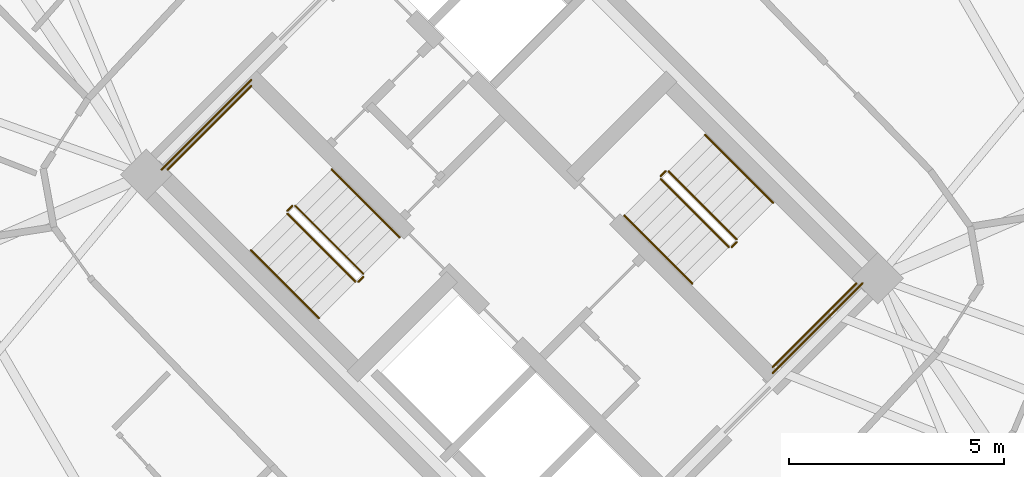
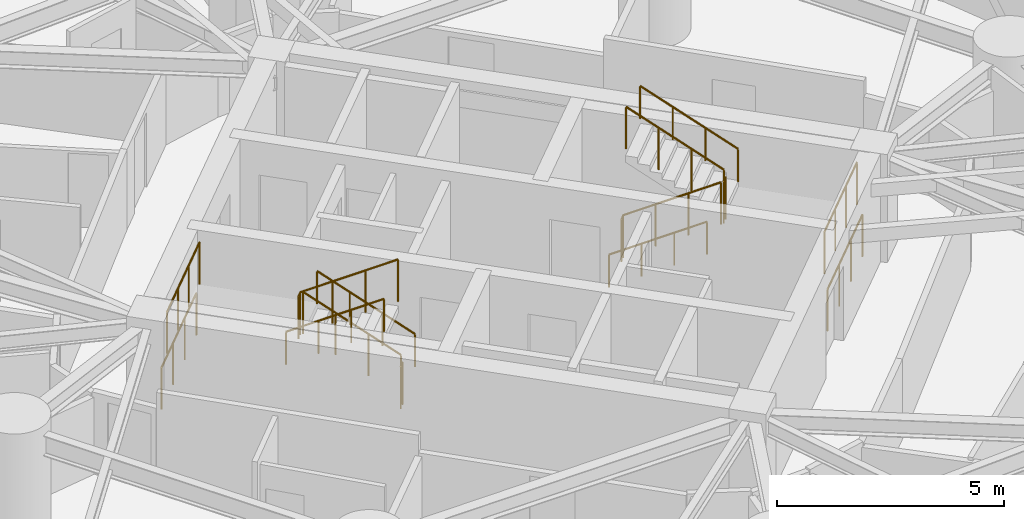
# One storey, part 18 of 18: 16 railings.
"""IFC4 building model written with IfcOpenShell, lengths in metres."""

from ifc_helpers import new_model, si_unit, direction, frame, origin, origin_2d, place, context, subcontext, project, spatial, circle, extrude, material, type_object, element, save


model = new_model("IFC4")

# Units and contexts
model_context = context("Model", 3, precision=1e-05, world=origin(), true_north=direction((0.0, 1.0)))
body_context = subcontext(model_context, "Body", "Model", "MODEL_VIEW")
ifc_project = project(units=[si_unit("LENGTHUNIT", "METRE"), si_unit("AREAUNIT", "SQUARE_METRE"), si_unit("VOLUMEUNIT", "CUBIC_METRE"), si_unit("PLANEANGLEUNIT", "RADIAN"), si_unit("MASSUNIT", "GRAM", prefix="KILO")], contexts=[model_context])

# Site, building, storey
site_placement = place(None, origin())
site = spatial("IfcSite", under=ifc_project, at=site_placement, CompositionType="ELEMENT")
building_placement = place(site_placement, origin())
building = spatial("IfcBuilding", under=site, at=building_placement, Name="Cununo Teusaquillo Station Towers", CompositionType="ELEMENT")
storey_placement = place(building_placement, frame((0.0, 0.0, 54.010009765625)))
storey = spatial("IfcBuildingStorey", under=building, at=storey_placement, Name="L16", CompositionType="ELEMENT", Elevation=54.010009765625)

# Railings
ifc_material_1 = material(Name="Steel EN 10025-2 S355J2", Category="steel")
railing_type_1 = type_object("IfcRailingType", Name="RL-INT-GUARD", PredefinedType="GUARDRAIL", material=ifc_material_1)
railing_1_placement = place(storey_placement, frame((54.03515625, 23.39697265625, 0.16162109375)))
element("IfcRailing", 1, at=railing_1_placement, inside=storey, type_object=railing_type_1, Name="L16 ST-T2-1 stair guard 1", PredefinedType="GUARDRAIL", context=body_context, shape_type="SweptSolid", body=[
    extrude(circle(Radius=0.02392578125, at=origin_2d()), frame((0.0, 0.0, 1.1259765625), z_axis=(-0.612332353853, 0.612332353853, 0.500098167213), x_axis=(-0.707106781187, -0.707106781187, 0.0)), (0.0, 0.0, 1.0), 2.58642578125),
    extrude(circle(Radius=0.02099609375, at=origin_2d()), origin(), (0.0, 0.0, 1.0), 1.101806640625),
    extrude(circle(Radius=0.02099609375, at=origin_2d()), frame((-0.52783203125, 0.52783203125, 0.43115234375)), (0.0, 0.0, 1.0), 1.101806640625),
    extrude(circle(Radius=0.02099609375, at=origin_2d()), frame((-1.055908203125, 1.055908203125, 0.8623046875)), (0.0, 0.0, 1.0), 1.101806640625),
    extrude(circle(Radius=0.02099609375, at=origin_2d()), frame((-1.583740234375, 1.583740234375, 1.29345703125)), (0.0, 0.0, 1.0), 1.101806640625),
])
railing_2_placement = place(storey_placement, frame((52.380615234375, 24.980712890625, 1.455078125)))
element("IfcRailing", 2, at=railing_2_placement, inside=storey, type_object=railing_type_1, Name="L16 ST-T2-1 stair guard 2", PredefinedType="GUARDRAIL", context=body_context, shape_type="SweptSolid", body=[
    extrude(circle(Radius=0.02392578125, at=origin_2d()), frame((0.0, 0.0, 1.1259765625), z_axis=(-0.7078691598, -0.706343579714, 0.0), x_axis=(0.706343579714, -0.7078691598, 0.0)), (0.0, 0.0, 1.0), 0.159912109375),
    extrude(circle(Radius=0.02099609375, at=origin_2d()), origin(), (0.0, 0.0, 1.0), 1.101806640625),
    extrude(circle(Radius=0.02099609375, at=origin_2d()), frame((-0.11328125, -0.113037109375, 0.0)), (0.0, 0.0, 1.0), 1.101806640625),
])
railing_3_placement = place(storey_placement, frame((51.426025390625, 27.77392578125, 1.455078125)))
element("IfcRailing", 3, at=railing_3_placement, inside=storey, type_object=railing_type_1, Name="L16 ST-T2-1 stair guard 3", PredefinedType="GUARDRAIL", context=body_context, shape_type="SweptSolid", body=[
    extrude(circle(Radius=0.02392578125, at=origin_2d()), frame((0.0, 0.0, 1.1259765625), z_axis=(-0.707106781187, -0.707106781187, 0.0), x_axis=(0.707106781187, -0.707106781187, 0.0)), (0.0, 0.0, 1.0), 2.760009765625),
    extrude(circle(Radius=0.02099609375, at=origin_2d()), origin(), (0.0, 0.0, 1.0), 1.101806640625),
    extrude(circle(Radius=0.02099609375, at=origin_2d()), frame((-0.650634765625, -0.650634765625, 0.0)), (0.0, 0.0, 1.0), 1.101806640625),
    extrude(circle(Radius=0.02099609375, at=origin_2d()), frame((-1.301025390625, -1.301025390625, 0.0)), (0.0, 0.0, 1.0), 1.101806640625),
    extrude(circle(Radius=0.02099609375, at=origin_2d()), frame((-1.95166015625, -1.95166015625, 0.0)), (0.0, 0.0, 1.0), 1.101806640625),
])
railing_4_placement = place(storey_placement, frame((52.267333984375, 24.796875, 1.61669921875)))
element("IfcRailing", 4, at=railing_4_placement, inside=storey, type_object=railing_type_1, Name="L16 ST-T2-1 stair guard 4", PredefinedType="GUARDRAIL", context=body_context, shape_type="SweptSolid", body=[
    extrude(circle(Radius=0.02392578125, at=origin_2d()), frame((0.0, 0.0, 1.1259765625), z_axis=(0.612420254088, -0.612325861324, 0.499998471934), x_axis=(0.707052281454, 0.707161276719, 0.0)), (0.0, 0.0, 1.0), 2.58642578125),
    extrude(circle(Radius=0.02099609375, at=origin_2d()), origin(), (0.0, 0.0, 1.0), 1.101806640625),
    extrude(circle(Radius=0.02099609375, at=origin_2d()), frame((0.528076171875, -0.52783203125, 0.43115234375)), (0.0, 0.0, 1.0), 1.101806640625),
    extrude(circle(Radius=0.02099609375, at=origin_2d()), frame((1.055908203125, -1.055908203125, 0.862060546875)), (0.0, 0.0, 1.0), 1.101806640625),
    extrude(circle(Radius=0.02099609375, at=origin_2d()), frame((1.583984375, -1.583740234375, 1.293212890625)), (0.0, 0.0, 1.0), 1.101806640625),
])
railing_5_placement = place(storey_placement, frame((54.03515625, 23.326171875, 0.0)))
element("IfcRailing", 5, at=railing_5_placement, inside=storey, type_object=railing_type_1, Name="L16 ST-T2-1 stair guard 5", PredefinedType="GUARDRAIL", context=body_context, shape_type="SweptSolid", body=[
    extrude(circle(Radius=0.02392578125, at=origin_2d()), frame((0.0, 0.0, 1.1259765625), z_axis=(-0.707106781187, -0.707106781187, 0.0), x_axis=(0.707106781187, -0.707106781187, 0.0)), (0.0, 0.0, 1.0), 0.159912109375),
    extrude(circle(Radius=0.02099609375, at=origin_2d()), origin(), (0.0, 0.0, 1.0), 1.101806640625),
    extrude(circle(Radius=0.02099609375, at=origin_2d()), frame((-0.113037109375, -0.113037109375, 0.0)), (0.0, 0.0, 1.0), 1.101806640625),
])
railing_6_placement = place(storey_placement, frame((51.426025390625, 27.915283203125, 0.0)))
element("IfcRailing", 6, at=railing_6_placement, inside=storey, type_object=railing_type_1, Name="L16 ST-T2-1 stair guard 6", PredefinedType="GUARDRAIL", context=body_context, shape_type="SweptSolid", body=[
    extrude(circle(Radius=0.02392578125, at=origin_2d()), frame((0.0, 0.0, 1.1259765625), z_axis=(-0.707106781187, -0.707106781187, 0.0), x_axis=(0.707106781187, -0.707106781187, 0.0)), (0.0, 0.0, 1.0), 2.9599609375),
    extrude(circle(Radius=0.02099609375, at=origin_2d()), origin(), (0.0, 0.0, 1.0), 1.101806640625),
    extrude(circle(Radius=0.02099609375, at=origin_2d()), frame((-0.69775390625, -0.69775390625, 0.0)), (0.0, 0.0, 1.0), 1.101806640625),
    extrude(circle(Radius=0.02099609375, at=origin_2d()), frame((-1.395263671875, -1.395263671875, 0.0)), (0.0, 0.0, 1.0), 1.101806640625),
    extrude(circle(Radius=0.02099609375, at=origin_2d()), frame((-2.093017578125, -2.093017578125, 0.0)), (0.0, 0.0, 1.0), 1.101806640625),
])
railing_7_placement = place(storey_placement, frame((60.96484375, 25.60302734375, 0.16162109375)))
element("IfcRailing", 7, at=railing_7_placement, inside=storey, type_object=railing_type_1, Name="L16 ST-T2-2 stair guard 1", PredefinedType="GUARDRAIL", context=body_context, shape_type="SweptSolid", body=[
    extrude(circle(Radius=0.02392578125, at=origin_2d()), frame((0.0, 0.0, 1.1259765625), z_axis=(0.612332353853, -0.612332353853, 0.500098167213), x_axis=(0.707106781187, 0.707106781187, 0.0)), (0.0, 0.0, 1.0), 2.58642578125),
    extrude(circle(Radius=0.02099609375, at=origin_2d()), origin(), (0.0, 0.0, 1.0), 1.101806640625),
    extrude(circle(Radius=0.02099609375, at=origin_2d()), frame((0.52783203125, -0.52783203125, 0.43115234375)), (0.0, 0.0, 1.0), 1.101806640625),
    extrude(circle(Radius=0.02099609375, at=origin_2d()), frame((1.055908203125, -1.055908203125, 0.8623046875)), (0.0, 0.0, 1.0), 1.101806640625),
    extrude(circle(Radius=0.02099609375, at=origin_2d()), frame((1.583740234375, -1.583740234375, 1.29345703125)), (0.0, 0.0, 1.0), 1.101806640625),
])
railing_8_placement = place(storey_placement, frame((62.619384765625, 24.019287109375, 1.455078125)))
element("IfcRailing", 8, at=railing_8_placement, inside=storey, type_object=railing_type_1, Name="L16 ST-T2-2 stair guard 2", PredefinedType="GUARDRAIL", context=body_context, shape_type="SweptSolid", body=[
    extrude(circle(Radius=0.02392578125, at=origin_2d()), frame((0.0, 0.0, 1.1259765625), z_axis=(0.7078691598, 0.706343579714, 0.0), x_axis=(-0.706343579714, 0.7078691598, 0.0)), (0.0, 0.0, 1.0), 0.159912109375),
    extrude(circle(Radius=0.02099609375, at=origin_2d()), origin(), (0.0, 0.0, 1.0), 1.101806640625),
    extrude(circle(Radius=0.02099609375, at=origin_2d()), frame((0.11328125, 0.113037109375, 0.0)), (0.0, 0.0, 1.0), 1.101806640625),
])
railing_9_placement = place(storey_placement, frame((63.573974609375, 21.22607421875, 1.455078125)))
element("IfcRailing", 9, at=railing_9_placement, inside=storey, type_object=railing_type_1, Name="L16 ST-T2-2 stair guard 3", PredefinedType="GUARDRAIL", context=body_context, shape_type="SweptSolid", body=[
    extrude(circle(Radius=0.02392578125, at=origin_2d()), frame((0.0, 0.0, 1.1259765625), z_axis=(0.707106781187, 0.707106781187, 0.0), x_axis=(-0.707106781187, 0.707106781187, 0.0)), (0.0, 0.0, 1.0), 2.760009765625),
    extrude(circle(Radius=0.02099609375, at=origin_2d()), origin(), (0.0, 0.0, 1.0), 1.101806640625),
    extrude(circle(Radius=0.02099609375, at=origin_2d()), frame((0.650634765625, 0.650634765625, 0.0)), (0.0, 0.0, 1.0), 1.101806640625),
    extrude(circle(Radius=0.02099609375, at=origin_2d()), frame((1.301025390625, 1.301025390625, 0.0)), (0.0, 0.0, 1.0), 1.101806640625),
    extrude(circle(Radius=0.02099609375, at=origin_2d()), frame((1.95166015625, 1.95166015625, 0.0)), (0.0, 0.0, 1.0), 1.101806640625),
])
railing_10_placement = place(storey_placement, frame((62.732666015625, 24.203125, 1.61669921875)))
element("IfcRailing", 10, at=railing_10_placement, inside=storey, type_object=railing_type_1, Name="L16 ST-T2-2 stair guard 4", PredefinedType="GUARDRAIL", context=body_context, shape_type="SweptSolid", body=[
    extrude(circle(Radius=0.02392578125, at=origin_2d()), frame((0.0, 0.0, 1.1259765625), z_axis=(-0.612420254088, 0.612325861324, 0.499998471934), x_axis=(-0.707052281454, -0.707161276719, 0.0)), (0.0, 0.0, 1.0), 2.58642578125),
    extrude(circle(Radius=0.02099609375, at=origin_2d()), origin(), (0.0, 0.0, 1.0), 1.101806640625),
    extrude(circle(Radius=0.02099609375, at=origin_2d()), frame((-0.528076171875, 0.52783203125, 0.43115234375)), (0.0, 0.0, 1.0), 1.101806640625),
    extrude(circle(Radius=0.02099609375, at=origin_2d()), frame((-1.055908203125, 1.055908203125, 0.862060546875)), (0.0, 0.0, 1.0), 1.101806640625),
    extrude(circle(Radius=0.02099609375, at=origin_2d()), frame((-1.583984375, 1.583740234375, 1.293212890625)), (0.0, 0.0, 1.0), 1.101806640625),
])
railing_11_placement = place(storey_placement, frame((60.96484375, 25.673828125, 0.0)))
element("IfcRailing", 11, at=railing_11_placement, inside=storey, type_object=railing_type_1, Name="L16 ST-T2-2 stair guard 5", PredefinedType="GUARDRAIL", context=body_context, shape_type="SweptSolid", body=[
    extrude(circle(Radius=0.02392578125, at=origin_2d()), frame((0.0, 0.0, 1.1259765625), z_axis=(0.707106781187, 0.707106781187, 0.0), x_axis=(-0.707106781187, 0.707106781187, 0.0)), (0.0, 0.0, 1.0), 0.159912109375),
    extrude(circle(Radius=0.02099609375, at=origin_2d()), origin(), (0.0, 0.0, 1.0), 1.101806640625),
    extrude(circle(Radius=0.02099609375, at=origin_2d()), frame((0.113037109375, 0.113037109375, 0.0)), (0.0, 0.0, 1.0), 1.101806640625),
])
railing_12_placement = place(storey_placement, frame((63.573974609375, 21.084716796875, 0.0)))
element("IfcRailing", 12, at=railing_12_placement, inside=storey, type_object=railing_type_1, Name="L16 ST-T2-2 stair guard 6", PredefinedType="GUARDRAIL", context=body_context, shape_type="SweptSolid", body=[
    extrude(circle(Radius=0.02392578125, at=origin_2d()), frame((0.0, 0.0, 1.1259765625), z_axis=(0.707106781187, 0.707106781187, 0.0), x_axis=(-0.707106781187, 0.707106781187, 0.0)), (0.0, 0.0, 1.0), 2.9599609375),
    extrude(circle(Radius=0.02099609375, at=origin_2d()), origin(), (0.0, 0.0, 1.0), 1.101806640625),
    extrude(circle(Radius=0.02099609375, at=origin_2d()), frame((0.69775390625, 0.69775390625, 0.0)), (0.0, 0.0, 1.0), 1.101806640625),
    extrude(circle(Radius=0.02099609375, at=origin_2d()), frame((1.395263671875, 1.395263671875, 0.0)), (0.0, 0.0, 1.0), 1.101806640625),
    extrude(circle(Radius=0.02099609375, at=origin_2d()), frame((2.093017578125, 2.093017578125, 0.0)), (0.0, 0.0, 1.0), 1.101806640625),
])
ifc_material_2 = material(Name="Steel EN 10025-2 S355J2", Category="steel")
railing_type_2 = type_object("IfcRailingType", Name="RL-INT-HRAIL", PredefinedType="HANDRAIL", material=ifc_material_2)
railing_13_placement = place(storey_placement, frame((54.8837890625, 24.245361328125, 0.16162109375)))
element("IfcRailing", 13, at=railing_13_placement, inside=storey, type_object=railing_type_2, Name="L16 ST-T2-1 stair handrail 1", PredefinedType="HANDRAIL", context=body_context, shape_type="SweptSolid", body=[
    extrude(circle(Radius=0.02392578125, at=origin_2d()), frame((0.0, 0.0, 0.8759765625), z_axis=(-0.612355957468, 0.612355957468, 0.500040361077), x_axis=(-0.707106781187, -0.707106781187, 0.0)), (0.0, 0.0, 1.0), 2.586669921875),
    extrude(circle(Radius=0.02099609375, at=origin_2d()), origin(), (0.0, 0.0, 1.0), 0.851806640625),
    extrude(circle(Radius=0.02099609375, at=origin_2d()), frame((-0.528076171875, 0.528076171875, 0.43115234375)), (0.0, 0.0, 1.0), 0.851806640625),
    extrude(circle(Radius=0.02099609375, at=origin_2d()), frame((-1.055908203125, 1.055908203125, 0.8623046875)), (0.0, 0.0, 1.0), 0.851806640625),
    extrude(circle(Radius=0.02099609375, at=origin_2d()), frame((-1.583984375, 1.583984375, 1.29345703125)), (0.0, 0.0, 1.0), 0.851806640625),
])
railing_14_placement = place(storey_placement, frame((51.4189453125, 23.948486328125, 1.61669921875)))
element("IfcRailing", 14, at=railing_14_placement, inside=storey, type_object=railing_type_2, Name="L16 ST-T2-1 stair handrail 2", PredefinedType="HANDRAIL", context=body_context, shape_type="SweptSolid", body=[
    extrude(circle(Radius=0.02392578125, at=origin_2d()), frame((0.0, 0.0, 0.8759765625), z_axis=(0.612384857071, -0.612384857071, 0.499969572735), x_axis=(0.707106781187, 0.707106781187, 0.0)), (0.0, 0.0, 1.0), 2.586669921875),
    extrude(circle(Radius=0.02099609375, at=origin_2d()), origin(), (0.0, 0.0, 1.0), 0.851806640625),
    extrude(circle(Radius=0.02099609375, at=origin_2d()), frame((0.528076171875, -0.528076171875, 0.43115234375)), (0.0, 0.0, 1.0), 0.851806640625),
    extrude(circle(Radius=0.02099609375, at=origin_2d()), frame((1.055908203125, -1.055908203125, 0.862060546875)), (0.0, 0.0, 1.0), 0.851806640625),
    extrude(circle(Radius=0.02099609375, at=origin_2d()), frame((1.583984375, -1.583984375, 1.293212890625)), (0.0, 0.0, 1.0), 0.851806640625),
])
railing_15_placement = place(storey_placement, frame((60.1162109375, 24.754638671875, 0.16162109375)))
element("IfcRailing", 15, at=railing_15_placement, inside=storey, type_object=railing_type_2, Name="L16 ST-T2-2 stair handrail 1", PredefinedType="HANDRAIL", context=body_context, shape_type="SweptSolid", body=[
    extrude(circle(Radius=0.02392578125, at=origin_2d()), frame((0.0, 0.0, 0.8759765625), z_axis=(0.612355957468, -0.612355957468, 0.500040361077), x_axis=(0.707106781187, 0.707106781187, 0.0)), (0.0, 0.0, 1.0), 2.586669921875),
    extrude(circle(Radius=0.02099609375, at=origin_2d()), origin(), (0.0, 0.0, 1.0), 0.851806640625),
    extrude(circle(Radius=0.02099609375, at=origin_2d()), frame((0.528076171875, -0.528076171875, 0.43115234375)), (0.0, 0.0, 1.0), 0.851806640625),
    extrude(circle(Radius=0.02099609375, at=origin_2d()), frame((1.055908203125, -1.055908203125, 0.8623046875)), (0.0, 0.0, 1.0), 0.851806640625),
    extrude(circle(Radius=0.02099609375, at=origin_2d()), frame((1.583984375, -1.583984375, 1.29345703125)), (0.0, 0.0, 1.0), 0.851806640625),
])
railing_16_placement = place(storey_placement, frame((63.5810546875, 25.051513671875, 1.61669921875)))
element("IfcRailing", 16, at=railing_16_placement, inside=storey, type_object=railing_type_2, Name="L16 ST-T2-2 stair handrail 2", PredefinedType="HANDRAIL", context=body_context, shape_type="SweptSolid", body=[
    extrude(circle(Radius=0.02392578125, at=origin_2d()), frame((0.0, 0.0, 0.8759765625), z_axis=(-0.612384857071, 0.612384857071, 0.499969572735), x_axis=(-0.707106781187, -0.707106781187, 0.0)), (0.0, 0.0, 1.0), 2.586669921875),
    extrude(circle(Radius=0.02099609375, at=origin_2d()), origin(), (0.0, 0.0, 1.0), 0.851806640625),
    extrude(circle(Radius=0.02099609375, at=origin_2d()), frame((-0.528076171875, 0.528076171875, 0.43115234375)), (0.0, 0.0, 1.0), 0.851806640625),
    extrude(circle(Radius=0.02099609375, at=origin_2d()), frame((-1.055908203125, 1.055908203125, 0.862060546875)), (0.0, 0.0, 1.0), 0.851806640625),
    extrude(circle(Radius=0.02099609375, at=origin_2d()), frame((-1.583984375, 1.583984375, 1.293212890625)), (0.0, 0.0, 1.0), 0.851806640625),
])

save(model, "model.ifc")
